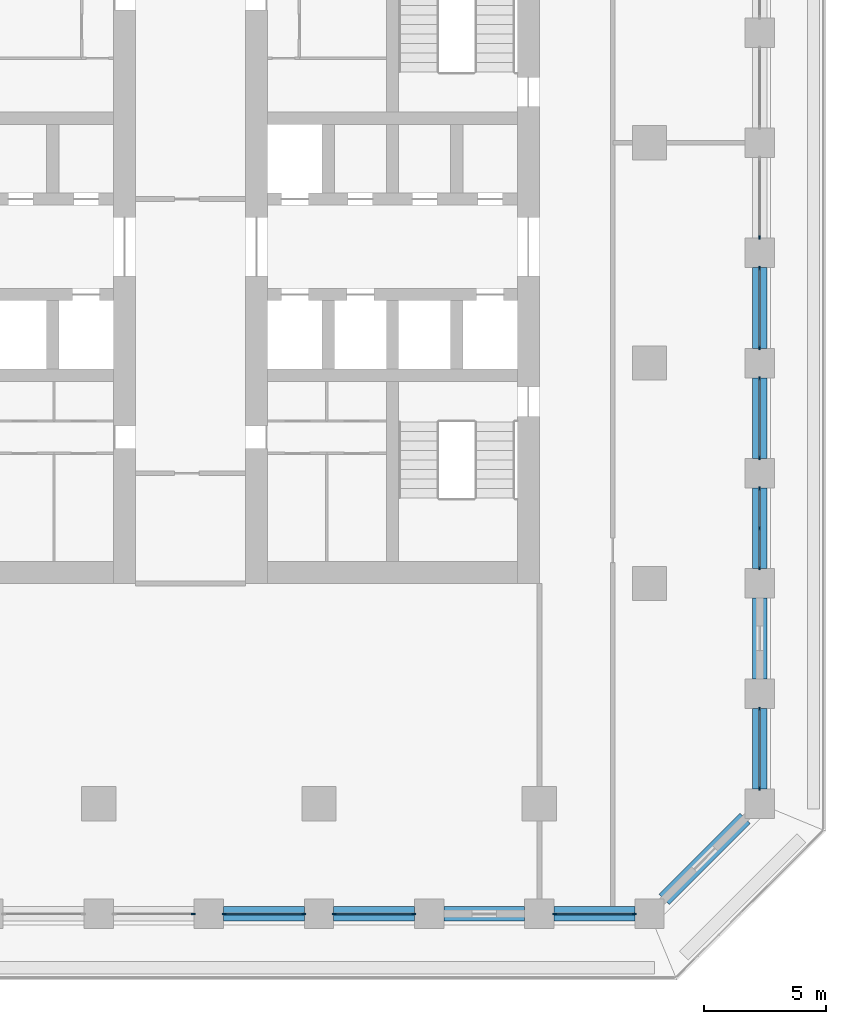
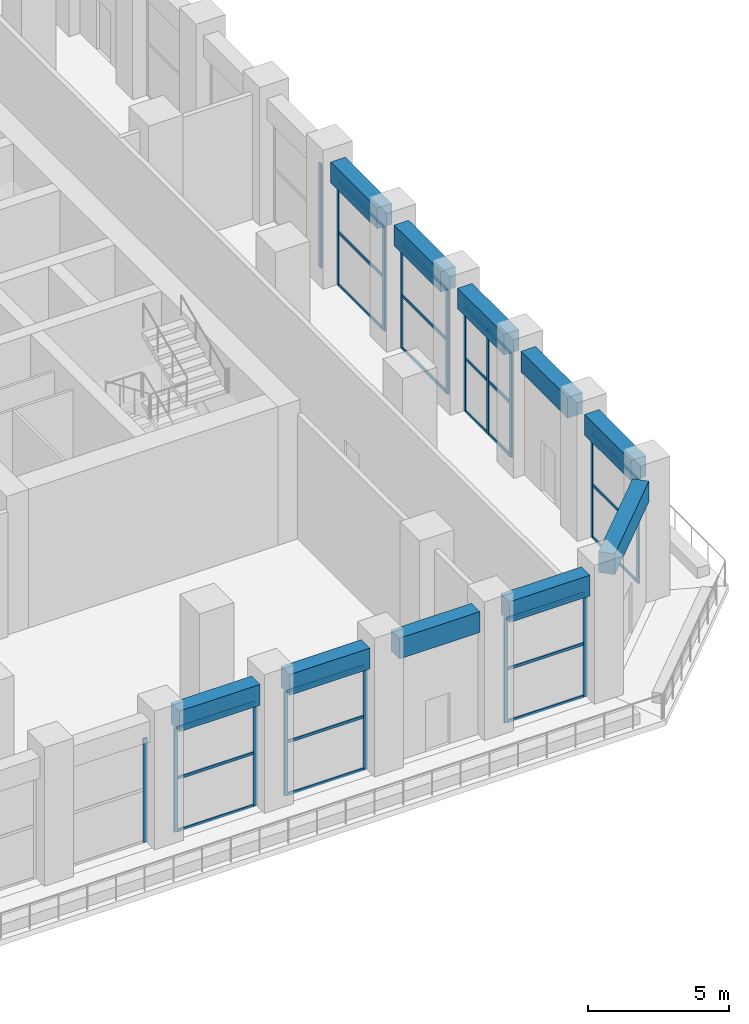
# One storey, part 4 of 24: 41 members, 10 beams, 9 elements without a shape of their own.
"""IFC4 building model written with IfcOpenShell, lengths in metres."""

from ifc_helpers import new_model, si_unit, direction, frame, origin, origin_2d, place, context, subcontext, project, spatial, rectangle, extrude, material, material_profile, profile_set, type_object, element, aggregate, save


model = new_model("IFC4")

# Units and contexts
model_context = context("Model", 3, precision=1e-05, world=origin(), true_north=direction((0.0, 1.0)))
body_context = subcontext(model_context, "Body", "Model", "MODEL_VIEW")
ifc_project = project(units=[si_unit("LENGTHUNIT", "METRE"), si_unit("AREAUNIT", "SQUARE_METRE"), si_unit("VOLUMEUNIT", "CUBIC_METRE"), si_unit("PLANEANGLEUNIT", "RADIAN"), si_unit("MASSUNIT", "GRAM", prefix="KILO")], contexts=[model_context])

# Site, building, storey
site_placement = place(None, origin())
site = spatial("IfcSite", under=ifc_project, at=site_placement, CompositionType="ELEMENT")
building_placement = place(site_placement, origin())
building = spatial("IfcBuilding", under=site, at=building_placement, Name="Corbel Stack Research Tower", CompositionType="ELEMENT")
storey_placement = place(building_placement, frame((0.0, 0.0, 145.39990234375)))
storey = spatial("IfcBuildingStorey", under=building, at=storey_placement, Name="L33", CompositionType="ELEMENT", Elevation=145.39990234375)

# Curtain wall, member
ifc_material_1 = material(Name="Aluminium frame, clear glass", Category="aluminium")
curtain_wall_type = type_object("IfcCurtainWallType", Name="Amenity floor curtain wall CW2", PredefinedType="NOTDEFINED", material=ifc_material_1)
curtain_wall_1_placement = place(storey_placement, origin())
curtain_wall_1 = element("IfcCurtainWall", 1, at=curtain_wall_1_placement, inside=storey, type_object=curtain_wall_type, Name="Curtain wall CW2 L33 S06", PredefinedType="NOTDEFINED")
ifc_material_2 = material(Name="Aluminium mullion", Category="aluminium")
ifc_material_profile_1 = material_profile(ifc_material_2, rectangle(XDim=0.06005859375, YDim=0.159912109375, at=origin_2d()), Name="Mullion 60 x 160")
ifc_profile_set_1 = profile_set([ifc_material_profile_1], Name="Aluminium mullion")
member_type_1 = type_object("IfcMemberType", Name="Curtain wall mullion 60 x 160", PredefinedType="MULLION", material=ifc_profile_set_1)
member_1_placement = place(storey_placement, frame((3.8701171875, -22.5, 0.0), z_axis=(0.0, 0.0, 1.0), x_axis=(0.0, 1.0, 0.0)))
member_1 = element("IfcMember", 2, at=member_1_placement, type_object=member_type_1, Name="CW2 L33 S06 mullion 2", PredefinedType="MULLION", context=body_context, shape_type="SweptSolid", body=[
    extrude(rectangle(XDim=0.06005859375, YDim=0.159912109375, at=origin_2d()), origin(), (0.0, 0.0, 1.0), 4.5),
])
aggregate(curtain_wall_1, [member_1])

# Curtain wall, members
curtain_wall_2_placement = place(storey_placement, origin())
curtain_wall_2 = element("IfcCurtainWall", 3, at=curtain_wall_2_placement, inside=storey, type_object=curtain_wall_type, Name="Curtain wall CW2 L33 S07", PredefinedType="NOTDEFINED")
member_2_placement = place(storey_placement, frame((5.1298828125, -22.5, 0.0), z_axis=(0.0, 0.0, 1.0), x_axis=(0.0, 1.0, 0.0)))
member_2 = element("IfcMember", 4, at=member_2_placement, type_object=member_type_1, Name="CW2 L33 S07 mullion 1", PredefinedType="MULLION", context=body_context, shape_type="SweptSolid", body=[
    extrude(rectangle(XDim=0.06005859375, YDim=0.159912109375, at=origin_2d()), origin(), (0.0, 0.0, 1.0), 4.5),
])
member_3_placement = place(storey_placement, frame((8.3701171875, -22.5, 0.0), z_axis=(0.0, 0.0, 1.0), x_axis=(0.0, 1.0, 0.0)))
member_3 = element("IfcMember", 5, at=member_3_placement, type_object=member_type_1, Name="CW2 L33 S07 mullion 2", PredefinedType="MULLION", context=body_context, shape_type="SweptSolid", body=[
    extrude(rectangle(XDim=0.06005859375, YDim=0.159912109375, at=origin_2d()), origin(), (0.0, 0.0, 1.0), 4.5),
])

curtain_wall_3_placement = place(storey_placement, origin())
curtain_wall_3 = element("IfcCurtainWall", 6, at=curtain_wall_3_placement, inside=storey, type_object=curtain_wall_type, Name="Curtain wall CW2 L33 S08", PredefinedType="NOTDEFINED")
member_4_placement = place(storey_placement, frame((9.6298828125, -22.5, 0.0), z_axis=(0.0, 0.0, 1.0), x_axis=(0.0, 1.0, 0.0)))
member_4 = element("IfcMember", 7, at=member_4_placement, type_object=member_type_1, Name="CW2 L33 S08 mullion 1", PredefinedType="MULLION", context=body_context, shape_type="SweptSolid", body=[
    extrude(rectangle(XDim=0.06005859375, YDim=0.159912109375, at=origin_2d()), origin(), (0.0, 0.0, 1.0), 4.5),
])
member_5_placement = place(storey_placement, frame((12.8701171875, -22.5, 0.0), z_axis=(0.0, 0.0, 1.0), x_axis=(0.0, 1.0, 0.0)))
member_5 = element("IfcMember", 8, at=member_5_placement, type_object=member_type_1, Name="CW2 L33 S08 mullion 2", PredefinedType="MULLION", context=body_context, shape_type="SweptSolid", body=[
    extrude(rectangle(XDim=0.06005859375, YDim=0.159912109375, at=origin_2d()), origin(), (0.0, 0.0, 1.0), 4.5),
])

curtain_wall_4_placement = place(storey_placement, origin())
curtain_wall_4 = element("IfcCurtainWall", 9, at=curtain_wall_4_placement, inside=storey, type_object=curtain_wall_type, Name="Curtain wall CW2 L33 S10", PredefinedType="NOTDEFINED")
member_6_placement = place(storey_placement, frame((18.6298828125, -22.5, 0.0), z_axis=(0.0, 0.0, 1.0), x_axis=(0.0, 1.0, 0.0)))
member_6 = element("IfcMember", 10, at=member_6_placement, type_object=member_type_1, Name="CW2 L33 S10 mullion 1", PredefinedType="MULLION", context=body_context, shape_type="SweptSolid", body=[
    extrude(rectangle(XDim=0.06005859375, YDim=0.159912109375, at=origin_2d()), origin(), (0.0, 0.0, 1.0), 4.5),
])
member_7_placement = place(storey_placement, frame((21.8701171875, -22.5, 0.0), z_axis=(0.0, 0.0, 1.0), x_axis=(0.0, 1.0, 0.0)))
member_7 = element("IfcMember", 11, at=member_7_placement, type_object=member_type_1, Name="CW2 L33 S10 mullion 2", PredefinedType="MULLION", context=body_context, shape_type="SweptSolid", body=[
    extrude(rectangle(XDim=0.06005859375, YDim=0.159912109375, at=origin_2d()), origin(), (0.0, 0.0, 1.0), 4.5),
])

curtain_wall_5_placement = place(storey_placement, origin())
curtain_wall_5 = element("IfcCurtainWall", 12, at=curtain_wall_5_placement, inside=storey, type_object=curtain_wall_type, Name="Curtain wall CW2 L33 E01", PredefinedType="NOTDEFINED")
member_8_placement = place(storey_placement, frame((27.0, -17.3701171875, 0.0), z_axis=(0.0, 0.0, 1.0), x_axis=(-1.0, 0.0, 0.0)))
member_8 = element("IfcMember", 13, at=member_8_placement, type_object=member_type_1, Name="CW2 L33 E01 mullion 1", PredefinedType="MULLION", context=body_context, shape_type="SweptSolid", body=[
    extrude(rectangle(XDim=0.06005859375, YDim=0.159912109375, at=origin_2d()), origin(), (0.0, 0.0, 1.0), 4.5),
])
member_9_placement = place(storey_placement, frame((27.0, -14.1298828125, 0.0), z_axis=(0.0, 0.0, 1.0), x_axis=(-1.0, 0.0, 0.0)))
member_9 = element("IfcMember", 14, at=member_9_placement, type_object=member_type_1, Name="CW2 L33 E01 mullion 2", PredefinedType="MULLION", context=body_context, shape_type="SweptSolid", body=[
    extrude(rectangle(XDim=0.06005859375, YDim=0.159912109375, at=origin_2d()), origin(), (0.0, 0.0, 1.0), 4.5),
])

curtain_wall_6_placement = place(storey_placement, origin())
curtain_wall_6 = element("IfcCurtainWall", 15, at=curtain_wall_6_placement, inside=storey, type_object=curtain_wall_type, Name="Curtain wall CW2 L33 E03", PredefinedType="NOTDEFINED")
member_10_placement = place(storey_placement, frame((27.0, -8.3701171875, 0.0), z_axis=(0.0, 0.0, 1.0), x_axis=(-1.0, 0.0, 0.0)))
member_10 = element("IfcMember", 16, at=member_10_placement, type_object=member_type_1, Name="CW2 L33 E03 mullion 1", PredefinedType="MULLION", context=body_context, shape_type="SweptSolid", body=[
    extrude(rectangle(XDim=0.06005859375, YDim=0.159912109375, at=origin_2d()), origin(), (0.0, 0.0, 1.0), 4.5),
])
member_11_placement = place(storey_placement, frame((27.0, -6.75, 0.0), z_axis=(0.0, 0.0, 1.0), x_axis=(-1.0, 0.0, 0.0)))
member_11 = element("IfcMember", 17, at=member_11_placement, type_object=member_type_1, Name="CW2 L33 E03 mullion 2", PredefinedType="MULLION", context=body_context, shape_type="SweptSolid", body=[
    extrude(rectangle(XDim=0.06005859375, YDim=0.159912109375, at=origin_2d()), origin(), (0.0, 0.0, 1.0), 4.5),
])
member_12_placement = place(storey_placement, frame((27.0, -5.1298828125, 0.0), z_axis=(0.0, 0.0, 1.0), x_axis=(-1.0, 0.0, 0.0)))
member_12 = element("IfcMember", 18, at=member_12_placement, type_object=member_type_1, Name="CW2 L33 E03 mullion 3", PredefinedType="MULLION", context=body_context, shape_type="SweptSolid", body=[
    extrude(rectangle(XDim=0.06005859375, YDim=0.159912109375, at=origin_2d()), origin(), (0.0, 0.0, 1.0), 4.5),
])

curtain_wall_7_placement = place(storey_placement, origin())
curtain_wall_7 = element("IfcCurtainWall", 19, at=curtain_wall_7_placement, inside=storey, type_object=curtain_wall_type, Name="Curtain wall CW2 L33 E04", PredefinedType="NOTDEFINED")
member_13_placement = place(storey_placement, frame((27.0, -3.8701171875, 0.0), z_axis=(0.0, 0.0, 1.0), x_axis=(-1.0, 0.0, 0.0)))
member_13 = element("IfcMember", 20, at=member_13_placement, type_object=member_type_1, Name="CW2 L33 E04 mullion 1", PredefinedType="MULLION", context=body_context, shape_type="SweptSolid", body=[
    extrude(rectangle(XDim=0.06005859375, YDim=0.159912109375, at=origin_2d()), origin(), (0.0, 0.0, 1.0), 4.5),
])
member_14_placement = place(storey_placement, frame((27.0, -0.6298828125, 0.0), z_axis=(0.0, 0.0, 1.0), x_axis=(-1.0, 0.0, 0.0)))
member_14 = element("IfcMember", 21, at=member_14_placement, type_object=member_type_1, Name="CW2 L33 E04 mullion 2", PredefinedType="MULLION", context=body_context, shape_type="SweptSolid", body=[
    extrude(rectangle(XDim=0.06005859375, YDim=0.159912109375, at=origin_2d()), origin(), (0.0, 0.0, 1.0), 4.5),
])

curtain_wall_8_placement = place(storey_placement, origin())
curtain_wall_8 = element("IfcCurtainWall", 22, at=curtain_wall_8_placement, inside=storey, type_object=curtain_wall_type, Name="Curtain wall CW2 L33 E05", PredefinedType="NOTDEFINED")
member_15_placement = place(storey_placement, frame((27.0, 0.6298828125, 0.0), z_axis=(0.0, 0.0, 1.0), x_axis=(-1.0, 0.0, 0.0)))
member_15 = element("IfcMember", 23, at=member_15_placement, type_object=member_type_1, Name="CW2 L33 E05 mullion 1", PredefinedType="MULLION", context=body_context, shape_type="SweptSolid", body=[
    extrude(rectangle(XDim=0.06005859375, YDim=0.159912109375, at=origin_2d()), origin(), (0.0, 0.0, 1.0), 4.5),
])
member_16_placement = place(storey_placement, frame((27.0, 3.8701171875, 0.0), z_axis=(0.0, 0.0, 1.0), x_axis=(-1.0, 0.0, 0.0)))
member_16 = element("IfcMember", 24, at=member_16_placement, type_object=member_type_1, Name="CW2 L33 E05 mullion 2", PredefinedType="MULLION", context=body_context, shape_type="SweptSolid", body=[
    extrude(rectangle(XDim=0.06005859375, YDim=0.159912109375, at=origin_2d()), origin(), (0.0, 0.0, 1.0), 4.5),
])

# Curtain wall, member
curtain_wall_9_placement = place(storey_placement, origin())
curtain_wall_9 = element("IfcCurtainWall", 25, at=curtain_wall_9_placement, inside=storey, type_object=curtain_wall_type, Name="Curtain wall CW2 L33 E06", PredefinedType="NOTDEFINED")
member_17_placement = place(storey_placement, frame((27.0, 5.1298828125, 0.0), z_axis=(0.0, 0.0, 1.0), x_axis=(-1.0, 0.0, 0.0)))
member_17 = element("IfcMember", 26, at=member_17_placement, type_object=member_type_1, Name="CW2 L33 E06 mullion 1", PredefinedType="MULLION", context=body_context, shape_type="SweptSolid", body=[
    extrude(rectangle(XDim=0.06005859375, YDim=0.159912109375, at=origin_2d()), origin(), (0.0, 0.0, 1.0), 4.5),
])
aggregate(curtain_wall_9, [member_17])

# Member
ifc_material_3 = material(Name="Aluminium transom", Category="aluminium")
ifc_material_profile_2 = material_profile(ifc_material_3, rectangle(XDim=0.06005859375, YDim=0.1201171875, at=origin_2d()), Name="Transom 60 x 120")
ifc_profile_set_2 = profile_set([ifc_material_profile_2], Name="Aluminium transom")
member_type_2 = type_object("IfcMemberType", Name="Curtain wall transom 60 x 120", PredefinedType="USERDEFINED", material=ifc_profile_set_2)
member_18_placement = place(storey_placement, frame((5.159912109375, -22.5, 0.030029296875), z_axis=(1.0, 0.0, 0.0), x_axis=(0.0, 1.0, 0.0)))
member_18 = element("IfcMember", 27, at=member_18_placement, type_object=member_type_2, Name="CW2 L33 S07 transom 1.1", ObjectType="TRANSOM", PredefinedType="USERDEFINED", context=body_context, shape_type="SweptSolid", body=[
    extrude(rectangle(XDim=0.06005859375, YDim=0.1201171875, at=origin_2d()), origin(), (0.0, 0.0, 1.0), 3.18017578125),
])

member_19_placement = place(storey_placement, frame((5.159912109375, -22.5, 2.300048828125), z_axis=(1.0, 0.0, 0.0), x_axis=(0.0, 1.0, 0.0)))
member_19 = element("IfcMember", 28, at=member_19_placement, type_object=member_type_2, Name="CW2 L33 S07 transom 1.2", ObjectType="TRANSOM", PredefinedType="USERDEFINED", context=body_context, shape_type="SweptSolid", body=[
    extrude(rectangle(XDim=0.06005859375, YDim=0.1201171875, at=origin_2d()), origin(), (0.0, 0.0, 1.0), 3.18017578125),
])

member_20_placement = place(storey_placement, frame((5.159912109375, -22.5, 4.47021484375), z_axis=(1.0, 0.0, 0.0), x_axis=(0.0, 1.0, 0.0)))
member_20 = element("IfcMember", 29, at=member_20_placement, type_object=member_type_2, Name="CW2 L33 S07 transom 1.3", ObjectType="TRANSOM", PredefinedType="USERDEFINED", context=body_context, shape_type="SweptSolid", body=[
    extrude(rectangle(XDim=0.06005859375, YDim=0.1201171875, at=origin_2d()), origin(), (0.0, 0.0, 1.0), 3.18017578125),
])

aggregate(curtain_wall_2, [member_2, member_3, member_18, member_19, member_20])

member_21_placement = place(storey_placement, frame((9.659912109375, -22.5, 0.030029296875), z_axis=(1.0, 0.0, 0.0), x_axis=(0.0, 1.0, 0.0)))
member_21 = element("IfcMember", 30, at=member_21_placement, type_object=member_type_2, Name="CW2 L33 S08 transom 1.1", ObjectType="TRANSOM", PredefinedType="USERDEFINED", context=body_context, shape_type="SweptSolid", body=[
    extrude(rectangle(XDim=0.06005859375, YDim=0.1201171875, at=origin_2d()), origin(), (0.0, 0.0, 1.0), 3.18017578125),
])

member_22_placement = place(storey_placement, frame((9.659912109375, -22.5, 2.300048828125), z_axis=(1.0, 0.0, 0.0), x_axis=(0.0, 1.0, 0.0)))
member_22 = element("IfcMember", 31, at=member_22_placement, type_object=member_type_2, Name="CW2 L33 S08 transom 1.2", ObjectType="TRANSOM", PredefinedType="USERDEFINED", context=body_context, shape_type="SweptSolid", body=[
    extrude(rectangle(XDim=0.06005859375, YDim=0.1201171875, at=origin_2d()), origin(), (0.0, 0.0, 1.0), 3.18017578125),
])

member_23_placement = place(storey_placement, frame((9.659912109375, -22.5, 4.47021484375), z_axis=(1.0, 0.0, 0.0), x_axis=(0.0, 1.0, 0.0)))
member_23 = element("IfcMember", 32, at=member_23_placement, type_object=member_type_2, Name="CW2 L33 S08 transom 1.3", ObjectType="TRANSOM", PredefinedType="USERDEFINED", context=body_context, shape_type="SweptSolid", body=[
    extrude(rectangle(XDim=0.06005859375, YDim=0.1201171875, at=origin_2d()), origin(), (0.0, 0.0, 1.0), 3.18017578125),
])

aggregate(curtain_wall_3, [member_4, member_5, member_21, member_22, member_23])

member_24_placement = place(storey_placement, frame((18.659912109375, -22.5, 0.030029296875), z_axis=(1.0, 0.0, 0.0), x_axis=(0.0, 1.0, 0.0)))
member_24 = element("IfcMember", 33, at=member_24_placement, type_object=member_type_2, Name="CW2 L33 S10 transom 1.1", ObjectType="TRANSOM", PredefinedType="USERDEFINED", context=body_context, shape_type="SweptSolid", body=[
    extrude(rectangle(XDim=0.06005859375, YDim=0.1201171875, at=origin_2d()), origin(), (0.0, 0.0, 1.0), 3.18017578125),
])

member_25_placement = place(storey_placement, frame((18.659912109375, -22.5, 2.300048828125), z_axis=(1.0, 0.0, 0.0), x_axis=(0.0, 1.0, 0.0)))
member_25 = element("IfcMember", 34, at=member_25_placement, type_object=member_type_2, Name="CW2 L33 S10 transom 1.2", ObjectType="TRANSOM", PredefinedType="USERDEFINED", context=body_context, shape_type="SweptSolid", body=[
    extrude(rectangle(XDim=0.06005859375, YDim=0.1201171875, at=origin_2d()), origin(), (0.0, 0.0, 1.0), 3.18017578125),
])

member_26_placement = place(storey_placement, frame((18.659912109375, -22.5, 4.47021484375), z_axis=(1.0, 0.0, 0.0), x_axis=(0.0, 1.0, 0.0)))
member_26 = element("IfcMember", 35, at=member_26_placement, type_object=member_type_2, Name="CW2 L33 S10 transom 1.3", ObjectType="TRANSOM", PredefinedType="USERDEFINED", context=body_context, shape_type="SweptSolid", body=[
    extrude(rectangle(XDim=0.06005859375, YDim=0.1201171875, at=origin_2d()), origin(), (0.0, 0.0, 1.0), 3.18017578125),
])

aggregate(curtain_wall_4, [member_6, member_7, member_24, member_25, member_26])

member_27_placement = place(storey_placement, frame((27.0, -17.340087890625, 0.030029296875), z_axis=(0.0, 1.0, 0.0), x_axis=(-1.0, 0.0, 0.0)))
member_27 = element("IfcMember", 36, at=member_27_placement, type_object=member_type_2, Name="CW2 L33 E01 transom 1.1", ObjectType="TRANSOM", PredefinedType="USERDEFINED", context=body_context, shape_type="SweptSolid", body=[
    extrude(rectangle(XDim=0.06005859375, YDim=0.1201171875, at=origin_2d()), origin(), (0.0, 0.0, 1.0), 3.18017578125),
])

member_28_placement = place(storey_placement, frame((27.0, -17.340087890625, 2.300048828125), z_axis=(0.0, 1.0, 0.0), x_axis=(-1.0, 0.0, 0.0)))
member_28 = element("IfcMember", 37, at=member_28_placement, type_object=member_type_2, Name="CW2 L33 E01 transom 1.2", ObjectType="TRANSOM", PredefinedType="USERDEFINED", context=body_context, shape_type="SweptSolid", body=[
    extrude(rectangle(XDim=0.06005859375, YDim=0.1201171875, at=origin_2d()), origin(), (0.0, 0.0, 1.0), 3.18017578125),
])

member_29_placement = place(storey_placement, frame((27.0, -17.340087890625, 4.47021484375), z_axis=(0.0, 1.0, 0.0), x_axis=(-1.0, 0.0, 0.0)))
member_29 = element("IfcMember", 38, at=member_29_placement, type_object=member_type_2, Name="CW2 L33 E01 transom 1.3", ObjectType="TRANSOM", PredefinedType="USERDEFINED", context=body_context, shape_type="SweptSolid", body=[
    extrude(rectangle(XDim=0.06005859375, YDim=0.1201171875, at=origin_2d()), origin(), (0.0, 0.0, 1.0), 3.18017578125),
])

aggregate(curtain_wall_5, [member_8, member_9, member_27, member_28, member_29])

member_30_placement = place(storey_placement, frame((27.0, -8.340087890625, 0.030029296875), z_axis=(0.0, 1.0, 0.0), x_axis=(-1.0, 0.0, 0.0)))
member_30 = element("IfcMember", 39, at=member_30_placement, type_object=member_type_2, Name="CW2 L33 E03 transom 1.1", ObjectType="TRANSOM", PredefinedType="USERDEFINED", context=body_context, shape_type="SweptSolid", body=[
    extrude(rectangle(XDim=0.06005859375, YDim=0.1201171875, at=origin_2d()), origin(), (0.0, 0.0, 1.0), 1.56005859375),
])

member_31_placement = place(storey_placement, frame((27.0, -8.340087890625, 2.300048828125), z_axis=(0.0, 1.0, 0.0), x_axis=(-1.0, 0.0, 0.0)))
member_31 = element("IfcMember", 40, at=member_31_placement, type_object=member_type_2, Name="CW2 L33 E03 transom 1.2", ObjectType="TRANSOM", PredefinedType="USERDEFINED", context=body_context, shape_type="SweptSolid", body=[
    extrude(rectangle(XDim=0.06005859375, YDim=0.1201171875, at=origin_2d()), origin(), (0.0, 0.0, 1.0), 1.56005859375),
])

member_32_placement = place(storey_placement, frame((27.0, -8.340087890625, 4.47021484375), z_axis=(0.0, 1.0, 0.0), x_axis=(-1.0, 0.0, 0.0)))
member_32 = element("IfcMember", 41, at=member_32_placement, type_object=member_type_2, Name="CW2 L33 E03 transom 1.3", ObjectType="TRANSOM", PredefinedType="USERDEFINED", context=body_context, shape_type="SweptSolid", body=[
    extrude(rectangle(XDim=0.06005859375, YDim=0.1201171875, at=origin_2d()), origin(), (0.0, 0.0, 1.0), 1.56005859375),
])

member_33_placement = place(storey_placement, frame((27.0, -6.719970703125, 0.030029296875), z_axis=(0.0, 1.0, 0.0), x_axis=(-1.0, 0.0, 0.0)))
member_33 = element("IfcMember", 42, at=member_33_placement, type_object=member_type_2, Name="CW2 L33 E03 transom 2.1", ObjectType="TRANSOM", PredefinedType="USERDEFINED", context=body_context, shape_type="SweptSolid", body=[
    extrude(rectangle(XDim=0.06005859375, YDim=0.1201171875, at=origin_2d()), origin(), (0.0, 0.0, 1.0), 1.56005859375),
])

member_34_placement = place(storey_placement, frame((27.0, -6.719970703125, 2.300048828125), z_axis=(0.0, 1.0, 0.0), x_axis=(-1.0, 0.0, 0.0)))
member_34 = element("IfcMember", 43, at=member_34_placement, type_object=member_type_2, Name="CW2 L33 E03 transom 2.2", ObjectType="TRANSOM", PredefinedType="USERDEFINED", context=body_context, shape_type="SweptSolid", body=[
    extrude(rectangle(XDim=0.06005859375, YDim=0.1201171875, at=origin_2d()), origin(), (0.0, 0.0, 1.0), 1.56005859375),
])

member_35_placement = place(storey_placement, frame((27.0, -6.719970703125, 4.47021484375), z_axis=(0.0, 1.0, 0.0), x_axis=(-1.0, 0.0, 0.0)))
member_35 = element("IfcMember", 44, at=member_35_placement, type_object=member_type_2, Name="CW2 L33 E03 transom 2.3", ObjectType="TRANSOM", PredefinedType="USERDEFINED", context=body_context, shape_type="SweptSolid", body=[
    extrude(rectangle(XDim=0.06005859375, YDim=0.1201171875, at=origin_2d()), origin(), (0.0, 0.0, 1.0), 1.56005859375),
])

aggregate(curtain_wall_6, [member_10, member_11, member_12, member_30, member_31, member_32, member_33, member_34, member_35])

member_36_placement = place(storey_placement, frame((27.0, -3.840087890625, 0.030029296875), z_axis=(0.0, 1.0, 0.0), x_axis=(-1.0, 0.0, 0.0)))
member_36 = element("IfcMember", 45, at=member_36_placement, type_object=member_type_2, Name="CW2 L33 E04 transom 1.1", ObjectType="TRANSOM", PredefinedType="USERDEFINED", context=body_context, shape_type="SweptSolid", body=[
    extrude(rectangle(XDim=0.06005859375, YDim=0.1201171875, at=origin_2d()), origin(), (0.0, 0.0, 1.0), 3.18017578125),
])

member_37_placement = place(storey_placement, frame((27.0, -3.840087890625, 2.300048828125), z_axis=(0.0, 1.0, 0.0), x_axis=(-1.0, 0.0, 0.0)))
member_37 = element("IfcMember", 46, at=member_37_placement, type_object=member_type_2, Name="CW2 L33 E04 transom 1.2", ObjectType="TRANSOM", PredefinedType="USERDEFINED", context=body_context, shape_type="SweptSolid", body=[
    extrude(rectangle(XDim=0.06005859375, YDim=0.1201171875, at=origin_2d()), origin(), (0.0, 0.0, 1.0), 3.18017578125),
])

member_38_placement = place(storey_placement, frame((27.0, -3.840087890625, 4.47021484375), z_axis=(0.0, 1.0, 0.0), x_axis=(-1.0, 0.0, 0.0)))
member_38 = element("IfcMember", 47, at=member_38_placement, type_object=member_type_2, Name="CW2 L33 E04 transom 1.3", ObjectType="TRANSOM", PredefinedType="USERDEFINED", context=body_context, shape_type="SweptSolid", body=[
    extrude(rectangle(XDim=0.06005859375, YDim=0.1201171875, at=origin_2d()), origin(), (0.0, 0.0, 1.0), 3.18017578125),
])

aggregate(curtain_wall_7, [member_13, member_14, member_36, member_37, member_38])

member_39_placement = place(storey_placement, frame((27.0, 0.659912109375, 0.030029296875), z_axis=(0.0, 1.0, 0.0), x_axis=(-1.0, 0.0, 0.0)))
member_39 = element("IfcMember", 48, at=member_39_placement, type_object=member_type_2, Name="CW2 L33 E05 transom 1.1", ObjectType="TRANSOM", PredefinedType="USERDEFINED", context=body_context, shape_type="SweptSolid", body=[
    extrude(rectangle(XDim=0.06005859375, YDim=0.1201171875, at=origin_2d()), origin(), (0.0, 0.0, 1.0), 3.18017578125),
])

member_40_placement = place(storey_placement, frame((27.0, 0.659912109375, 2.300048828125), z_axis=(0.0, 1.0, 0.0), x_axis=(-1.0, 0.0, 0.0)))
member_40 = element("IfcMember", 49, at=member_40_placement, type_object=member_type_2, Name="CW2 L33 E05 transom 1.2", ObjectType="TRANSOM", PredefinedType="USERDEFINED", context=body_context, shape_type="SweptSolid", body=[
    extrude(rectangle(XDim=0.06005859375, YDim=0.1201171875, at=origin_2d()), origin(), (0.0, 0.0, 1.0), 3.18017578125),
])

member_41_placement = place(storey_placement, frame((27.0, 0.659912109375, 4.47021484375), z_axis=(0.0, 1.0, 0.0), x_axis=(-1.0, 0.0, 0.0)))
member_41 = element("IfcMember", 50, at=member_41_placement, type_object=member_type_2, Name="CW2 L33 E05 transom 1.3", ObjectType="TRANSOM", PredefinedType="USERDEFINED", context=body_context, shape_type="SweptSolid", body=[
    extrude(rectangle(XDim=0.06005859375, YDim=0.1201171875, at=origin_2d()), origin(), (0.0, 0.0, 1.0), 3.18017578125),
])

aggregate(curtain_wall_8, [member_15, member_16, member_39, member_40, member_41])

# Beams
ifc_material_4 = material(Name="Concrete C60/75", Category="concrete")
ifc_material_profile_3 = material_profile(ifc_material_4, rectangle(XDim=0.60009765625, YDim=0.89990234375, at=origin_2d()), Name="RC 600 x 900")
ifc_profile_set_3 = profile_set([ifc_material_profile_3], Name="Concrete C60/75")
beam_type = type_object("IfcBeamType", Name="SB-600-900-600", PredefinedType="SPANDREL", material=ifc_profile_set_3)
for number, where, z_axis, x_axis, name in (
    (51, (5.10009765625, -22.5, 4.9501953125), (1.0, 0.0, 0.0), (0.0, 1.0, 0.0), "Spandrel beam L33-07"),
    (52, (9.60009765625, -22.5, 4.9501953125), (1.0, 0.0, 0.0), (0.0, 1.0, 0.0), "Spandrel beam L33-08"),
    (53, (14.10009765625, -22.5, 4.9501953125), (1.0, 0.0, 0.0), (0.0, 1.0, 0.0), "Spandrel beam L33-09"),
    (54, (18.60009765625, -22.5, 4.9501953125), (1.0, 0.0, 0.0), (0.0, 1.0, 0.0), "Spandrel beam L33-10"),
):
    element("IfcBeam", number, at=place(storey_placement, frame(where, z_axis=z_axis, x_axis=x_axis)), inside=storey, type_object=beam_type, Name=name, PredefinedType="SPANDREL", context=body_context, shape_type="SweptSolid", body=[
        extrude(rectangle(XDim=0.60009765625, YDim=0.89990234375, at=origin_2d()), origin(), (0.0, 0.0, 1.0), 3.2998046875),
    ])
beam_placement = place(storey_placement, frame((23.10009765625, -21.89990234375, 4.9501953125), z_axis=(0.707106781187, 0.707106781187, 0.0), x_axis=(-0.707106781187, 0.707106781187, 0.0)))
element("IfcBeam", 55, at=beam_placement, inside=storey, type_object=beam_type, Name="Spandrel beam L33-11", PredefinedType="SPANDREL", context=body_context, shape_type="SweptSolid", body=[
    extrude(rectangle(XDim=0.60009765625, YDim=0.89990234375, at=origin_2d()), origin(), (0.0, 0.0, 1.0), 4.666748046875),
])
for number, where, z_axis, x_axis, name in (
    (56, (27.0, -17.39990234375, 4.9501953125), (0.0, 1.0, 0.0), (-1.0, 0.0, 0.0), "Spandrel beam L33-12"),
    (57, (27.0, -12.89990234375, 4.9501953125), (0.0, 1.0, 0.0), (-1.0, 0.0, 0.0), "Spandrel beam L33-13"),
    (58, (27.0, -8.39990234375, 4.9501953125), (0.0, 1.0, 0.0), (-1.0, 0.0, 0.0), "Spandrel beam L33-14"),
    (59, (27.0, -3.89990234375, 4.9501953125), (0.0, 1.0, 0.0), (-1.0, 0.0, 0.0), "Spandrel beam L33-15"),
    (60, (27.0, 0.60009765625, 4.9501953125), (0.0, 1.0, 0.0), (-1.0, 0.0, 0.0), "Spandrel beam L33-16"),
):
    element("IfcBeam", number, at=place(storey_placement, frame(where, z_axis=z_axis, x_axis=x_axis)), inside=storey, type_object=beam_type, Name=name, PredefinedType="SPANDREL", context=body_context, shape_type="SweptSolid", body=[
        extrude(rectangle(XDim=0.60009765625, YDim=0.89990234375, at=origin_2d()), origin(), (0.0, 0.0, 1.0), 3.2998046875),
    ])

save(model, "model.ifc")
